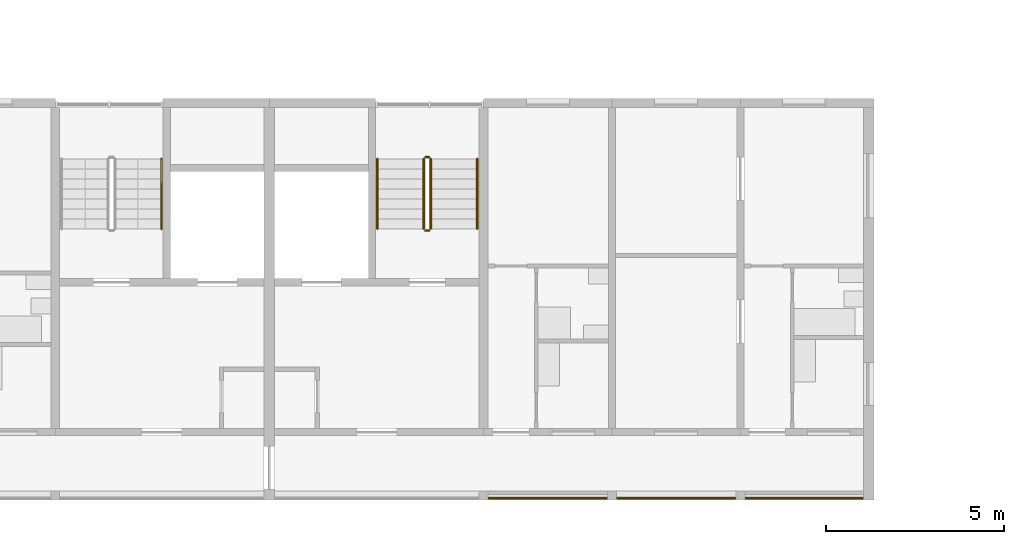
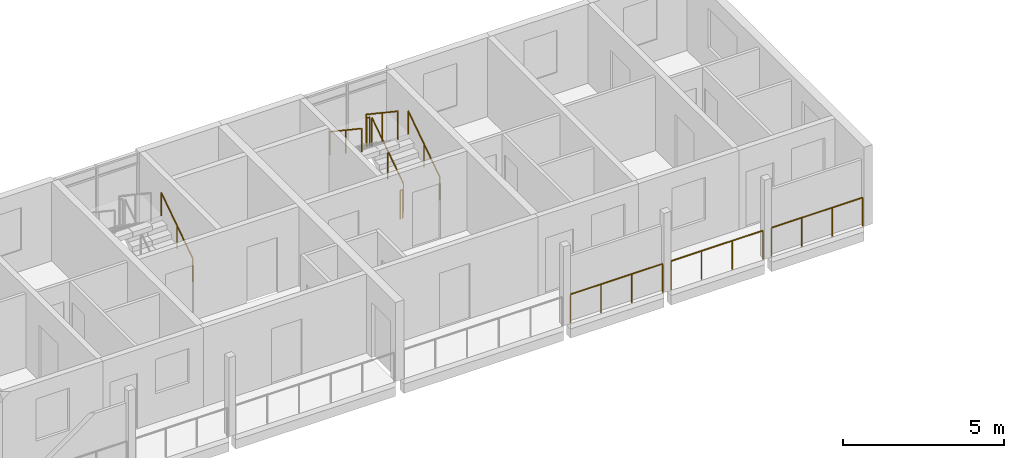
# One storey, part 75 of 87: 10 railings.
"""IFC4 building model written with IfcOpenShell, lengths in metres."""

from ifc_helpers import new_model, si_unit, direction, frame, origin, origin_2d, place, context, subcontext, project, spatial, circle, extrude, material, type_object, element, save


model = new_model("IFC4")

# Units and contexts
model_context = context("Model", 3, precision=1e-05, world=origin(), true_north=direction((0.0, 1.0)))
body_context = subcontext(model_context, "Body", "Model", "MODEL_VIEW")
ifc_project = project(units=[si_unit("LENGTHUNIT", "METRE"), si_unit("AREAUNIT", "SQUARE_METRE"), si_unit("VOLUMEUNIT", "CUBIC_METRE"), si_unit("PLANEANGLEUNIT", "RADIAN"), si_unit("MASSUNIT", "GRAM", prefix="KILO")], contexts=[model_context])

# Site, building, storey
site_placement = place(None, origin())
site = spatial("IfcSite", under=ifc_project, at=site_placement, CompositionType="ELEMENT")
building_placement = place(site_placement, origin())
building = spatial("IfcBuilding", under=site, at=building_placement, Name="Ridgestep Commons", CompositionType="ELEMENT")
storey_placement = place(building_placement, frame((0.0, 0.0, 27.0)))
storey = spatial("IfcBuildingStorey", under=building, at=storey_placement, Name="L09", CompositionType="ELEMENT", Elevation=27.0)

# Railings
ifc_material_1 = material(Name="Structural steel S355JR", Category="steel")
railing_type_1 = type_object("IfcRailingType", Name="Guard 1100", PredefinedType="GUARDRAIL", material=ifc_material_1)
railing_1_placement = place(storey_placement, frame((102.14599609375, 11.800048828125, 0.0)))
element("IfcRailing", 1, at=railing_1_placement, inside=storey, type_object=railing_type_1, Name="Gallery guard A 09.22", PredefinedType="GUARDRAIL", context=body_context, shape_type="SweptSolid", body=[
    extrude(circle(Radius=0.02392578125, at=origin_2d()), frame((0.0, 0.0, 1.076171875), z_axis=(1.0, 0.0, 0.0), x_axis=(0.0, 1.0, 0.0)), (0.0, 0.0, 1.0), 3.30810546875),
    extrude(circle(Radius=0.02099609375, at=origin_2d()), origin(), (0.0, 0.0, 1.0), 1.052001953125),
    extrude(circle(Radius=0.02099609375, at=origin_2d()), frame((1.102783203125, 0.0, 0.0)), (0.0, 0.0, 1.0), 1.052001953125),
    extrude(circle(Radius=0.02099609375, at=origin_2d()), frame((2.205322265625, 0.0, 0.0)), (0.0, 0.0, 1.0), 1.052001953125),
    extrude(circle(Radius=0.02099609375, at=origin_2d()), frame((3.30810546875, 0.0, 0.0)), (0.0, 0.0, 1.0), 1.052001953125),
])
railing_2_placement = place(storey_placement, frame((105.74609375, 11.800048828125, 0.0)))
element("IfcRailing", 2, at=railing_2_placement, inside=storey, type_object=railing_type_1, Name="Gallery guard A 09.23", PredefinedType="GUARDRAIL", context=body_context, shape_type="SweptSolid", body=[
    extrude(circle(Radius=0.02392578125, at=origin_2d()), frame((0.0, 0.0, 1.076171875), z_axis=(1.0, 0.0, 0.0), x_axis=(0.0, 1.0, 0.0)), (0.0, 0.0, 1.0), 3.307861328125),
    extrude(circle(Radius=0.02099609375, at=origin_2d()), origin(), (0.0, 0.0, 1.0), 1.052001953125),
    extrude(circle(Radius=0.02099609375, at=origin_2d()), frame((1.1025390625, 0.0, 0.0)), (0.0, 0.0, 1.0), 1.052001953125),
    extrude(circle(Radius=0.02099609375, at=origin_2d()), frame((2.205322265625, 0.0, 0.0)), (0.0, 0.0, 1.0), 1.052001953125),
    extrude(circle(Radius=0.02099609375, at=origin_2d()), frame((3.307861328125, 0.0, 0.0)), (0.0, 0.0, 1.0), 1.052001953125),
])
railing_3_placement = place(storey_placement, frame((109.345947265625, 11.800048828125, 0.0)))
element("IfcRailing", 3, at=railing_3_placement, inside=storey, type_object=railing_type_1, Name="Gallery guard A 09.24", PredefinedType="GUARDRAIL", context=body_context, shape_type="SweptSolid", body=[
    extrude(circle(Radius=0.02392578125, at=origin_2d()), frame((0.0, 0.0, 1.076171875), z_axis=(1.0, 0.0, 0.0), x_axis=(0.0, 1.0, 0.0)), (0.0, 0.0, 1.0), 3.282958984375),
    extrude(circle(Radius=0.02099609375, at=origin_2d()), origin(), (0.0, 0.0, 1.0), 1.052001953125),
    extrude(circle(Radius=0.02099609375, at=origin_2d()), frame((1.09423828125, 0.0, 0.0)), (0.0, 0.0, 1.0), 1.052001953125),
    extrude(circle(Radius=0.02099609375, at=origin_2d()), frame((2.188720703125, 0.0, 0.0)), (0.0, 0.0, 1.0), 1.052001953125),
    extrude(circle(Radius=0.02099609375, at=origin_2d()), frame((3.282958984375, 0.0, 0.0)), (0.0, 0.0, 1.0), 1.052001953125),
])
ifc_material_2 = material(Name="Structural steel S355JR", Category="steel")
railing_type_2 = type_object("IfcRailingType", Name="Stair guard 1100", PredefinedType="GUARDRAIL", material=ifc_material_2)
railing_4_placement = place(storey_placement, frame((100.52490234375, 19.35009765625, 0.1875)))
element("IfcRailing", 4, at=railing_4_placement, inside=storey, type_object=railing_type_2, Name="L09 A6C stair guard 1", PredefinedType="GUARDRAIL", context=body_context, shape_type="SweptSolid", body=[
    extrude(circle(Radius=0.02392578125, at=origin_2d()), frame((0.0, 0.0, 1.076171875), z_axis=(0.0, 0.830902050051, 0.556418712142), x_axis=(-1.0, 0.0, 0.0)), (0.0, 0.0, 1.0), 2.35888671875),
    extrude(circle(Radius=0.02099609375, at=origin_2d()), origin(), (0.0, 0.0, 1.0), 1.052001953125),
    extrude(circle(Radius=0.02099609375, at=origin_2d()), frame((0.0, 0.97998046875, 0.65625)), (0.0, 0.0, 1.0), 1.052001953125),
    extrude(circle(Radius=0.02099609375, at=origin_2d()), frame((0.0, 1.9599609375, 1.3125)), (0.0, 0.0, 1.0), 1.052001953125),
])
railing_5_placement = place(storey_placement, frame((100.47509765625, 21.360107421875, 1.5)))
element("IfcRailing", 5, at=railing_5_placement, inside=storey, type_object=railing_type_2, Name="L09 A6C stair guard 2", PredefinedType="GUARDRAIL", context=body_context, shape_type="SweptSolid", body=[
    extrude(circle(Radius=0.02392578125, at=origin_2d()), frame((0.0, 0.0, 1.076171875), z_axis=(-1.0, 0.0, 0.0), x_axis=(0.0, -1.0, 0.0)), (0.0, 0.0, 1.0), 0.10009765625),
    extrude(circle(Radius=0.02099609375, at=origin_2d()), origin(), (0.0, 0.0, 1.0), 1.052001953125),
    extrude(circle(Radius=0.02099609375, at=origin_2d()), frame((-0.10009765625, 0.0, 0.0)), (0.0, 0.0, 1.0), 1.052001953125),
])
railing_6_placement = place(storey_placement, frame((100.324951171875, 21.31005859375, 1.6875)))
element("IfcRailing", 6, at=railing_6_placement, inside=storey, type_object=railing_type_2, Name="L09 A6C stair guard 3", PredefinedType="GUARDRAIL", context=body_context, shape_type="SweptSolid", body=[
    extrude(circle(Radius=0.02392578125, at=origin_2d()), frame((0.0, 0.0, 1.076171875), z_axis=(0.0, -0.830902050051, 0.556418712142), x_axis=(1.0, 0.0, 0.0)), (0.0, 0.0, 1.0), 2.35888671875),
    extrude(circle(Radius=0.02099609375, at=origin_2d()), origin(), (0.0, 0.0, 1.0), 1.052001953125),
    extrude(circle(Radius=0.02099609375, at=origin_2d()), frame((0.0, -0.97998046875, 0.65625)), (0.0, 0.0, 1.0), 1.052001953125),
    extrude(circle(Radius=0.02099609375, at=origin_2d()), frame((0.0, -1.9599609375, 1.3125)), (0.0, 0.0, 1.0), 1.052001953125),
])
railing_7_placement = place(storey_placement, frame((100.47509765625, 19.300048828125, 0.0)))
element("IfcRailing", 7, at=railing_7_placement, inside=storey, type_object=railing_type_2, Name="L09 A6C stair guard 4", PredefinedType="GUARDRAIL", context=body_context, shape_type="SweptSolid", body=[
    extrude(circle(Radius=0.02392578125, at=origin_2d()), frame((0.0, 0.0, 1.076171875), z_axis=(-1.0, 0.0, 0.0), x_axis=(0.0, -1.0, 0.0)), (0.0, 0.0, 1.0), 0.10009765625),
    extrude(circle(Radius=0.02099609375, at=origin_2d()), origin(), (0.0, 0.0, 1.0), 1.052001953125),
    extrude(circle(Radius=0.02099609375, at=origin_2d()), frame((-0.10009765625, 0.0, 0.0)), (0.0, 0.0, 1.0), 1.052001953125),
])
ifc_material_3 = material(Name="Structural steel S355JR", Category="steel")
railing_type_3 = type_object("IfcRailingType", Name="Stair handrail 900", PredefinedType="HANDRAIL", material=ifc_material_3)
for number, where, name in (
    (8, (92.97509765625, 19.35009765625, 0.1875), "L09 A5C stair handrail 1"),
    (9, (101.824951171875, 19.35009765625, 0.1875), "L09 A6C stair handrail 1"),
):
    element("IfcRailing", number, at=place(storey_placement, frame(where)), inside=storey, type_object=railing_type_3, Name=name, PredefinedType="HANDRAIL", context=body_context, shape_type="SweptSolid", body=[
        extrude(circle(Radius=0.02392578125, at=origin_2d()), frame((0.0, 0.0, 0.8759765625), z_axis=(0.0, 0.830902050051, 0.556418712142), x_axis=(-1.0, 0.0, 0.0)), (0.0, 0.0, 1.0), 2.35888671875),
        extrude(circle(Radius=0.02099609375, at=origin_2d()), origin(), (0.0, 0.0, 1.0), 0.851806640625),
        extrude(circle(Radius=0.02099609375, at=origin_2d()), frame((0.0, 0.97998046875, 0.65625)), (0.0, 0.0, 1.0), 0.851806640625),
        extrude(circle(Radius=0.02099609375, at=origin_2d()), frame((0.0, 1.9599609375, 1.3125)), (0.0, 0.0, 1.0), 0.851806640625),
    ])
railing_8_placement = place(storey_placement, frame((99.02490234375, 21.31005859375, 1.6875)))
element("IfcRailing", 10, at=railing_8_placement, inside=storey, type_object=railing_type_3, Name="L09 A6C stair handrail 2", PredefinedType="HANDRAIL", context=body_context, shape_type="SweptSolid", body=[
    extrude(circle(Radius=0.02392578125, at=origin_2d()), frame((0.0, 0.0, 0.8759765625), z_axis=(0.0, -0.830902050051, 0.556418712142), x_axis=(1.0, 0.0, 0.0)), (0.0, 0.0, 1.0), 2.35888671875),
    extrude(circle(Radius=0.02099609375, at=origin_2d()), origin(), (0.0, 0.0, 1.0), 0.851806640625),
    extrude(circle(Radius=0.02099609375, at=origin_2d()), frame((0.0, -0.97998046875, 0.65625)), (0.0, 0.0, 1.0), 0.851806640625),
    extrude(circle(Radius=0.02099609375, at=origin_2d()), frame((0.0, -1.9599609375, 1.3125)), (0.0, 0.0, 1.0), 0.851806640625),
])

save(model, "model.ifc")
